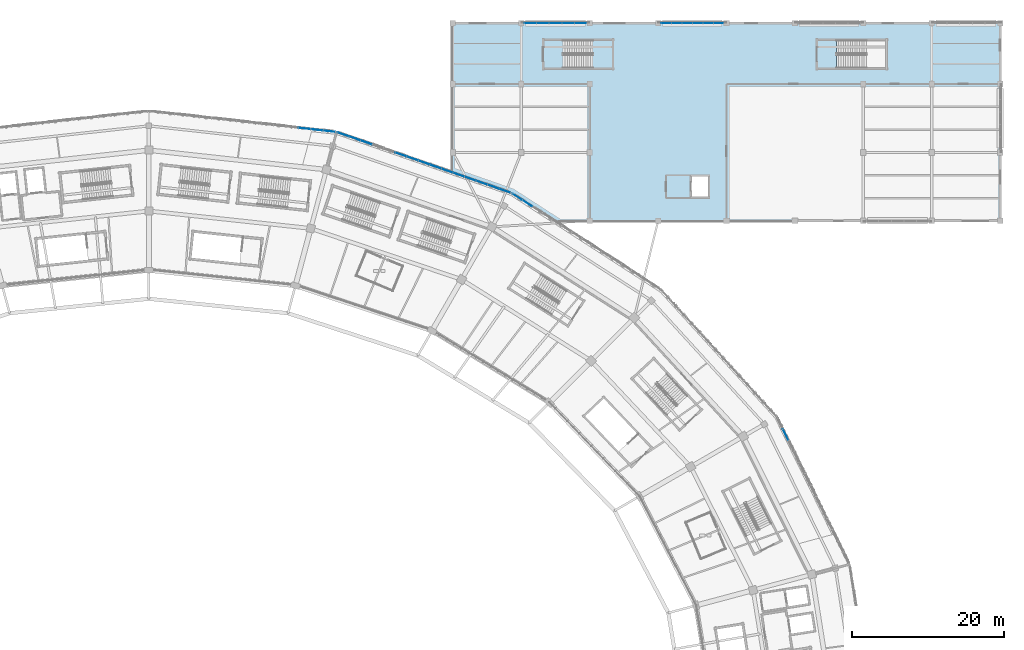
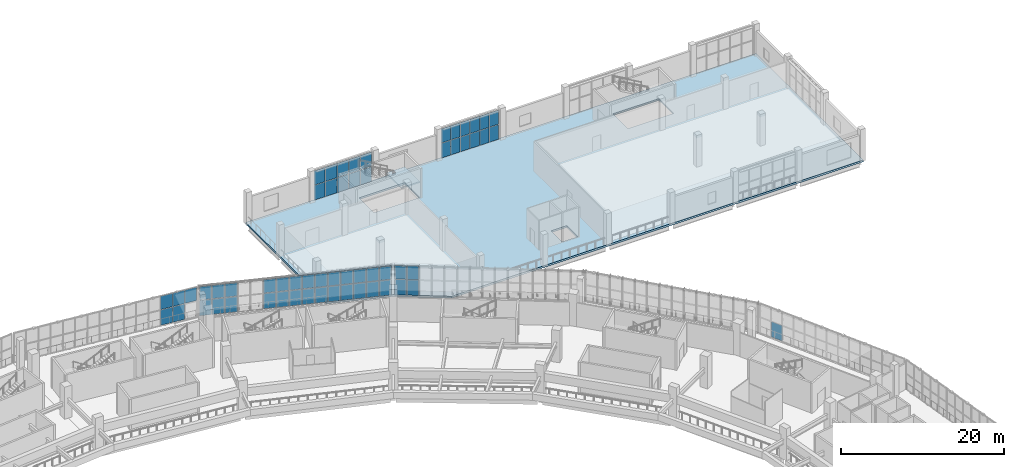
# One storey, part 95 of 179: 58 plates, 2 slabs, 7 elements without a shape of their own.
"""IFC4 building model written with IfcOpenShell, lengths in metres."""

from ifc_helpers import new_model, si_unit, direction, frame, origin, origin_2d, place, context, subcontext, project, spatial, polyline, rectangle, outline, extrude, material, layer, layer_set, type_object, element, aggregate, save


model = new_model("IFC4")

# Units and contexts
model_context = context("Model", 3, precision=1e-05, world=origin(), true_north=direction((0.0, 1.0)))
body_context = subcontext(model_context, "Body", "Model", "MODEL_VIEW")
ifc_project = project(units=[si_unit("LENGTHUNIT", "METRE"), si_unit("AREAUNIT", "SQUARE_METRE"), si_unit("VOLUMEUNIT", "CUBIC_METRE"), si_unit("PLANEANGLEUNIT", "RADIAN"), si_unit("MASSUNIT", "GRAM", prefix="KILO")], contexts=[model_context])

# Site, building, storey
site_placement = place(None, origin())
site = spatial("IfcSite", under=ifc_project, at=site_placement, CompositionType="ELEMENT")
building_placement = place(site_placement, origin())
building = spatial("IfcBuilding", under=site, at=building_placement, Name="Zevraka Park Crest Stadium", CompositionType="ELEMENT")
storey_placement = place(building_placement, frame((0.0, 0.0, 10.199951171875)))
storey = spatial("IfcBuildingStorey", under=building, at=storey_placement, Name="L02", CompositionType="ELEMENT", Elevation=10.199951171875)

# Curtain wall, plates
ifc_material_1 = material(Name="Anodised architectural aluminium and laminated safety glass", Category="aluminium")
curtain_wall_type_1 = type_object("IfcCurtainWallType", Name="CW06", PredefinedType="NOTDEFINED", material=ifc_material_1)
curtain_wall_1_placement = place(storey_placement, origin())
curtain_wall_1 = element("IfcCurtainWall", 1, at=curtain_wall_1_placement, inside=storey, type_object=curtain_wall_type_1, Name="Unitised Ring Curtain Wall CW06 L02-05", PredefinedType="NOTDEFINED")
ifc_material_2 = material(Name="Solar-control laminated double glazing", Category="glass")
ifc_layer_1 = layer(ifc_material_2, 0.028076171875)
ifc_layer_set_1 = layer_set([ifc_layer_1], Name="Solar-control laminated double glazing")
plate_type_1 = type_object("IfcPlateType", Name="CP06", PredefinedType="CURTAIN_PANEL", material=ifc_layer_set_1)
plate_1_placement = place(storey_placement, frame((135.737060546875, 169.785400390625, 2.43505859375), z_axis=(0.0, 0.0, 1.0), x_axis=(-0.993899099743, 0.110293152687, 0.0)))
plate_1 = element("IfcPlate", 2, at=plate_1_placement, type_object=plate_type_1, Name="CW06 panel 1.2", PredefinedType="CURTAIN_PANEL", context=body_context, shape_type="SweptSolid", body=[
    extrude(rectangle(XDim=1.5341796875, YDim=0.028076171875, at=origin_2d()), origin(), (0.0, 0.0, 1.0), 1.9951171875),
])
plate_2_placement = place(storey_placement, frame((134.125, 169.964111328125, 0.070068359375), z_axis=(0.0, 0.0, 1.0), x_axis=(-0.993899099743, 0.110293152687, 0.0)))
plate_2 = element("IfcPlate", 3, at=plate_2_placement, type_object=plate_type_1, Name="CW06 panel 2.1", PredefinedType="CURTAIN_PANEL", context=body_context, shape_type="SweptSolid", body=[
    extrude(rectangle(XDim=1.5693359375, YDim=0.028076171875, at=origin_2d()), origin(), (0.0, 0.0, 1.0), 2.294921875),
])
plate_3_placement = place(storey_placement, frame((134.125, 169.964111328125, 2.43505859375), z_axis=(0.0, 0.0, 1.0), x_axis=(-0.993899099743, 0.110293152687, 0.0)))
plate_3 = element("IfcPlate", 4, at=plate_3_placement, type_object=plate_type_1, Name="CW06 panel 2.2", PredefinedType="CURTAIN_PANEL", context=body_context, shape_type="SweptSolid", body=[
    extrude(rectangle(XDim=1.5693359375, YDim=0.028076171875, at=origin_2d()), origin(), (0.0, 0.0, 1.0), 1.9951171875),
])
plate_4_placement = place(storey_placement, frame((132.495849609375, 170.14501953125, 0.070068359375), z_axis=(0.0, 0.0, 1.0), x_axis=(-0.993899099743, 0.110293152687, 0.0)))
plate_4 = element("IfcPlate", 5, at=plate_4_placement, type_object=plate_type_1, Name="CW06 panel 3.1", PredefinedType="CURTAIN_PANEL", context=body_context, shape_type="SweptSolid", body=[
    extrude(rectangle(XDim=1.5693359375, YDim=0.028076171875, at=origin_2d()), origin(), (0.0, 0.0, 1.0), 2.294921875),
])
plate_5_placement = place(storey_placement, frame((132.495849609375, 170.14501953125, 2.43505859375), z_axis=(0.0, 0.0, 1.0), x_axis=(-0.993899099743, 0.110293152687, 0.0)))
plate_5 = element("IfcPlate", 6, at=plate_5_placement, type_object=plate_type_1, Name="CW06 panel 3.2", PredefinedType="CURTAIN_PANEL", context=body_context, shape_type="SweptSolid", body=[
    extrude(rectangle(XDim=1.5693359375, YDim=0.028076171875, at=origin_2d()), origin(), (0.0, 0.0, 1.0), 1.9951171875),
])
aggregate(curtain_wall_1, [plate_1, plate_2, plate_3, plate_4, plate_5])

# Curtain wall, plate
ifc_material_3 = material(Name="Anodised architectural aluminium and laminated safety glass", Category="aluminium")
curtain_wall_type_2 = type_object("IfcCurtainWallType", Name="CW07", PredefinedType="NOTDEFINED", material=ifc_material_3)
curtain_wall_2_placement = place(storey_placement, origin())
curtain_wall_2 = element("IfcCurtainWall", 7, at=curtain_wall_2_placement, inside=storey, type_object=curtain_wall_type_2, Name="Unitised Ring Curtain Wall CW07 L02-01", PredefinedType="NOTDEFINED")
ifc_material_4 = material(Name="Solar-control laminated double glazing", Category="glass")
ifc_layer_2 = layer(ifc_material_4, 0.028076171875)
ifc_layer_set_2 = layer_set([ifc_layer_2], Name="Solar-control laminated double glazing")
plate_type_2 = type_object("IfcPlateType", Name="CP07", PredefinedType="CURTAIN_PANEL", material=ifc_layer_set_2)
plate_6_placement = place(storey_placement, frame((195.781494140625, 129.877685546875, 0.06005859375), z_axis=(0.0, 0.0, 1.0), x_axis=(-0.441021032455, 0.897496768201, 0.0)))
plate_6 = element("IfcPlate", 8, at=plate_6_placement, type_object=plate_type_2, Name="CW07 panel 12.1", PredefinedType="CURTAIN_PANEL", context=body_context, shape_type="SweptSolid", body=[
    extrude(rectangle(XDim=1.58251953125, YDim=0.028076171875, at=origin_2d()), origin(), (0.0, 0.0, 1.0), 2.31005859375),
])
aggregate(curtain_wall_2, [plate_6])

# Curtain wall, plates
curtain_wall_3_placement = place(storey_placement, origin())
curtain_wall_3 = element("IfcCurtainWall", 9, at=curtain_wall_3_placement, inside=storey, type_object=curtain_wall_type_2, Name="Unitised Ring Curtain Wall CW07 L02-04", PredefinedType="NOTDEFINED")
plate_7_placement = place(storey_placement, frame((158.81787109375, 161.955810546875, 0.06005859375), z_axis=(0.0, 0.0, 1.0), x_axis=(-0.944114076789, 0.329618886002, 0.0)))
plate_7 = element("IfcPlate", 10, at=plate_7_placement, type_object=plate_type_2, Name="CW07 panel 1.1", PredefinedType="CURTAIN_PANEL", context=body_context, shape_type="SweptSolid", body=[
    extrude(rectangle(XDim=1.517822265625, YDim=0.028076171875, at=origin_2d()), origin(), (0.0, 0.0, 1.0), 2.31005859375),
])
plate_8_placement = place(storey_placement, frame((158.81787109375, 161.955810546875, 2.43017578125), z_axis=(0.0, 0.0, 1.0), x_axis=(-0.944114076789, 0.329618886002, 0.0)))
plate_8 = element("IfcPlate", 11, at=plate_8_placement, type_object=plate_type_2, Name="CW07 panel 1.2", PredefinedType="CURTAIN_PANEL", context=body_context, shape_type="SweptSolid", body=[
    extrude(rectangle(XDim=1.517822265625, YDim=0.028076171875, at=origin_2d()), origin(), (0.0, 0.0, 1.0), 2.010009765625),
])
plate_9_placement = place(storey_placement, frame((157.314208984375, 162.48095703125, 0.06005859375), z_axis=(0.0, 0.0, 1.0), x_axis=(-0.944114076789, 0.329618886002, 0.0)))
plate_9 = element("IfcPlate", 12, at=plate_9_placement, type_object=plate_type_2, Name="CW07 panel 2.1", PredefinedType="CURTAIN_PANEL", context=body_context, shape_type="SweptSolid", body=[
    extrude(rectangle(XDim=1.547607421875, YDim=0.028076171875, at=origin_2d()), origin(), (0.0, 0.0, 1.0), 2.31005859375),
])
plate_10_placement = place(storey_placement, frame((157.314208984375, 162.48095703125, 2.43017578125), z_axis=(0.0, 0.0, 1.0), x_axis=(-0.944114076789, 0.329618886002, 0.0)))
plate_10 = element("IfcPlate", 13, at=plate_10_placement, type_object=plate_type_2, Name="CW07 panel 2.2", PredefinedType="CURTAIN_PANEL", context=body_context, shape_type="SweptSolid", body=[
    extrude(rectangle(XDim=1.547607421875, YDim=0.028076171875, at=origin_2d()), origin(), (0.0, 0.0, 1.0), 2.010009765625),
])
plate_11_placement = place(storey_placement, frame((155.79638671875, 163.0107421875, 0.06005859375), z_axis=(0.0, 0.0, 1.0), x_axis=(-0.944114076789, 0.329618886002, 0.0)))
plate_11 = element("IfcPlate", 14, at=plate_11_placement, type_object=plate_type_2, Name="CW07 panel 3.1", PredefinedType="CURTAIN_PANEL", context=body_context, shape_type="SweptSolid", body=[
    extrude(rectangle(XDim=1.547607421875, YDim=0.028076171875, at=origin_2d()), origin(), (0.0, 0.0, 1.0), 2.31005859375),
])
plate_12_placement = place(storey_placement, frame((155.79638671875, 163.0107421875, 2.43017578125), z_axis=(0.0, 0.0, 1.0), x_axis=(-0.944114076789, 0.329618886002, 0.0)))
plate_12 = element("IfcPlate", 15, at=plate_12_placement, type_object=plate_type_2, Name="CW07 panel 3.2", PredefinedType="CURTAIN_PANEL", context=body_context, shape_type="SweptSolid", body=[
    extrude(rectangle(XDim=1.547607421875, YDim=0.028076171875, at=origin_2d()), origin(), (0.0, 0.0, 1.0), 2.010009765625),
])
plate_13_placement = place(storey_placement, frame((154.278564453125, 163.540771484375, 0.06005859375), z_axis=(0.0, 0.0, 1.0), x_axis=(-0.944114076789, 0.329618886002, 0.0)))
plate_13 = element("IfcPlate", 16, at=plate_13_placement, type_object=plate_type_2, Name="CW07 panel 4.1", PredefinedType="CURTAIN_PANEL", context=body_context, shape_type="SweptSolid", body=[
    extrude(rectangle(XDim=1.547607421875, YDim=0.028076171875, at=origin_2d()), origin(), (0.0, 0.0, 1.0), 2.31005859375),
])
plate_14_placement = place(storey_placement, frame((154.278564453125, 163.540771484375, 2.43017578125), z_axis=(0.0, 0.0, 1.0), x_axis=(-0.944114076789, 0.329618886002, 0.0)))
plate_14 = element("IfcPlate", 17, at=plate_14_placement, type_object=plate_type_2, Name="CW07 panel 4.2", PredefinedType="CURTAIN_PANEL", context=body_context, shape_type="SweptSolid", body=[
    extrude(rectangle(XDim=1.547607421875, YDim=0.028076171875, at=origin_2d()), origin(), (0.0, 0.0, 1.0), 2.010009765625),
])
plate_15_placement = place(storey_placement, frame((152.760498046875, 164.07080078125, 0.06005859375), z_axis=(0.0, 0.0, 1.0), x_axis=(-0.944114076789, 0.329618886002, 0.0)))
plate_15 = element("IfcPlate", 18, at=plate_15_placement, type_object=plate_type_2, Name="CW07 panel 5.1", PredefinedType="CURTAIN_PANEL", context=body_context, shape_type="SweptSolid", body=[
    extrude(rectangle(XDim=1.547607421875, YDim=0.028076171875, at=origin_2d()), origin(), (0.0, 0.0, 1.0), 2.31005859375),
])
plate_16_placement = place(storey_placement, frame((152.760498046875, 164.07080078125, 2.43017578125), z_axis=(0.0, 0.0, 1.0), x_axis=(-0.944114076789, 0.329618886002, 0.0)))
plate_16 = element("IfcPlate", 19, at=plate_16_placement, type_object=plate_type_2, Name="CW07 panel 5.2", PredefinedType="CURTAIN_PANEL", context=body_context, shape_type="SweptSolid", body=[
    extrude(rectangle(XDim=1.547607421875, YDim=0.028076171875, at=origin_2d()), origin(), (0.0, 0.0, 1.0), 2.010009765625),
])
plate_17_placement = place(storey_placement, frame((151.24267578125, 164.6005859375, 0.06005859375), z_axis=(0.0, 0.0, 1.0), x_axis=(-0.944114076789, 0.329618886002, 0.0)))
plate_17 = element("IfcPlate", 20, at=plate_17_placement, type_object=plate_type_2, Name="CW07 panel 6.1", PredefinedType="CURTAIN_PANEL", context=body_context, shape_type="SweptSolid", body=[
    extrude(rectangle(XDim=1.547607421875, YDim=0.028076171875, at=origin_2d()), origin(), (0.0, 0.0, 1.0), 2.31005859375),
])
plate_18_placement = place(storey_placement, frame((151.24267578125, 164.6005859375, 2.43017578125), z_axis=(0.0, 0.0, 1.0), x_axis=(-0.944114076789, 0.329618886002, 0.0)))
plate_18 = element("IfcPlate", 21, at=plate_18_placement, type_object=plate_type_2, Name="CW07 panel 6.2", PredefinedType="CURTAIN_PANEL", context=body_context, shape_type="SweptSolid", body=[
    extrude(rectangle(XDim=1.547607421875, YDim=0.028076171875, at=origin_2d()), origin(), (0.0, 0.0, 1.0), 2.010009765625),
])
plate_19_placement = place(storey_placement, frame((149.724853515625, 165.130615234375, 0.06005859375), z_axis=(0.0, 0.0, 1.0), x_axis=(-0.944114076789, 0.329618886002, 0.0)))
plate_19 = element("IfcPlate", 22, at=plate_19_placement, type_object=plate_type_2, Name="CW07 panel 7.1", PredefinedType="CURTAIN_PANEL", context=body_context, shape_type="SweptSolid", body=[
    extrude(rectangle(XDim=1.547607421875, YDim=0.028076171875, at=origin_2d()), origin(), (0.0, 0.0, 1.0), 2.31005859375),
])
plate_20_placement = place(storey_placement, frame((149.724853515625, 165.130615234375, 2.43017578125), z_axis=(0.0, 0.0, 1.0), x_axis=(-0.944114076789, 0.329618886002, 0.0)))
plate_20 = element("IfcPlate", 23, at=plate_20_placement, type_object=plate_type_2, Name="CW07 panel 7.2", PredefinedType="CURTAIN_PANEL", context=body_context, shape_type="SweptSolid", body=[
    extrude(rectangle(XDim=1.547607421875, YDim=0.028076171875, at=origin_2d()), origin(), (0.0, 0.0, 1.0), 2.010009765625),
])
plate_21_placement = place(storey_placement, frame((148.20703125, 165.660400390625, 0.06005859375), z_axis=(0.0, 0.0, 1.0), x_axis=(-0.944114076789, 0.329618886002, 0.0)))
plate_21 = element("IfcPlate", 24, at=plate_21_placement, type_object=plate_type_2, Name="CW07 panel 8.1", PredefinedType="CURTAIN_PANEL", context=body_context, shape_type="SweptSolid", body=[
    extrude(rectangle(XDim=1.547607421875, YDim=0.028076171875, at=origin_2d()), origin(), (0.0, 0.0, 1.0), 2.31005859375),
])
plate_22_placement = place(storey_placement, frame((148.20703125, 165.660400390625, 2.43017578125), z_axis=(0.0, 0.0, 1.0), x_axis=(-0.944114076789, 0.329618886002, 0.0)))
plate_22 = element("IfcPlate", 25, at=plate_22_placement, type_object=plate_type_2, Name="CW07 panel 8.2", PredefinedType="CURTAIN_PANEL", context=body_context, shape_type="SweptSolid", body=[
    extrude(rectangle(XDim=1.547607421875, YDim=0.028076171875, at=origin_2d()), origin(), (0.0, 0.0, 1.0), 2.010009765625),
])
plate_23_placement = place(storey_placement, frame((146.689208984375, 166.1904296875, 0.06005859375), z_axis=(0.0, 0.0, 1.0), x_axis=(-0.944114076789, 0.329618886002, 0.0)))
plate_23 = element("IfcPlate", 26, at=plate_23_placement, type_object=plate_type_2, Name="CW07 panel 9.1", PredefinedType="CURTAIN_PANEL", context=body_context, shape_type="SweptSolid", body=[
    extrude(rectangle(XDim=1.547607421875, YDim=0.028076171875, at=origin_2d()), origin(), (0.0, 0.0, 1.0), 2.31005859375),
])
plate_24_placement = place(storey_placement, frame((146.689208984375, 166.1904296875, 2.43017578125), z_axis=(0.0, 0.0, 1.0), x_axis=(-0.944114076789, 0.329618886002, 0.0)))
plate_24 = element("IfcPlate", 27, at=plate_24_placement, type_object=plate_type_2, Name="CW07 panel 9.2", PredefinedType="CURTAIN_PANEL", context=body_context, shape_type="SweptSolid", body=[
    extrude(rectangle(XDim=1.547607421875, YDim=0.028076171875, at=origin_2d()), origin(), (0.0, 0.0, 1.0), 2.010009765625),
])
plate_25_placement = place(storey_placement, frame((145.17138671875, 166.720458984375, 0.06005859375), z_axis=(0.0, 0.0, 1.0), x_axis=(-0.944114076789, 0.329618886002, 0.0)))
plate_25 = element("IfcPlate", 28, at=plate_25_placement, type_object=plate_type_2, Name="CW07 panel 10.1", PredefinedType="CURTAIN_PANEL", context=body_context, shape_type="SweptSolid", body=[
    extrude(rectangle(XDim=1.547607421875, YDim=0.028076171875, at=origin_2d()), origin(), (0.0, 0.0, 1.0), 2.31005859375),
])
plate_26_placement = place(storey_placement, frame((145.17138671875, 166.720458984375, 2.43017578125), z_axis=(0.0, 0.0, 1.0), x_axis=(-0.944114076789, 0.329618886002, 0.0)))
plate_26 = element("IfcPlate", 29, at=plate_26_placement, type_object=plate_type_2, Name="CW07 panel 10.2", PredefinedType="CURTAIN_PANEL", context=body_context, shape_type="SweptSolid", body=[
    extrude(rectangle(XDim=1.547607421875, YDim=0.028076171875, at=origin_2d()), origin(), (0.0, 0.0, 1.0), 2.010009765625),
])
plate_27_placement = place(storey_placement, frame((140.61767578125, 168.31005859375, 0.06005859375), z_axis=(0.0, 0.0, 1.0), x_axis=(-0.944114076789, 0.329618886002, 0.0)))
plate_27 = element("IfcPlate", 30, at=plate_27_placement, type_object=plate_type_2, Name="CW07 panel 13.1", PredefinedType="CURTAIN_PANEL", context=body_context, shape_type="SweptSolid", body=[
    extrude(rectangle(XDim=1.547607421875, YDim=0.028076171875, at=origin_2d()), origin(), (0.0, 0.0, 1.0), 2.31005859375),
])
plate_28_placement = place(storey_placement, frame((140.61767578125, 168.31005859375, 2.43017578125), z_axis=(0.0, 0.0, 1.0), x_axis=(-0.944114076789, 0.329618886002, 0.0)))
plate_28 = element("IfcPlate", 31, at=plate_28_placement, type_object=plate_type_2, Name="CW07 panel 13.2", PredefinedType="CURTAIN_PANEL", context=body_context, shape_type="SweptSolid", body=[
    extrude(rectangle(XDim=1.547607421875, YDim=0.028076171875, at=origin_2d()), origin(), (0.0, 0.0, 1.0), 2.010009765625),
])
plate_29_placement = place(storey_placement, frame((139.099853515625, 168.840087890625, 0.06005859375), z_axis=(0.0, 0.0, 1.0), x_axis=(-0.944114076789, 0.329618886002, 0.0)))
plate_29 = element("IfcPlate", 32, at=plate_29_placement, type_object=plate_type_2, Name="CW07 panel 14.1", PredefinedType="CURTAIN_PANEL", context=body_context, shape_type="SweptSolid", body=[
    extrude(rectangle(XDim=1.547607421875, YDim=0.028076171875, at=origin_2d()), origin(), (0.0, 0.0, 1.0), 2.31005859375),
])
plate_30_placement = place(storey_placement, frame((139.099853515625, 168.840087890625, 2.43017578125), z_axis=(0.0, 0.0, 1.0), x_axis=(-0.944114076789, 0.329618886002, 0.0)))
plate_30 = element("IfcPlate", 33, at=plate_30_placement, type_object=plate_type_2, Name="CW07 panel 14.2", PredefinedType="CURTAIN_PANEL", context=body_context, shape_type="SweptSolid", body=[
    extrude(rectangle(XDim=1.547607421875, YDim=0.028076171875, at=origin_2d()), origin(), (0.0, 0.0, 1.0), 2.010009765625),
])
plate_31_placement = place(storey_placement, frame((137.59619140625, 169.364990234375, 0.06005859375), z_axis=(0.0, 0.0, 1.0), x_axis=(-0.944114076789, 0.329618886002, 0.0)))
plate_31 = element("IfcPlate", 34, at=plate_31_placement, type_object=plate_type_2, Name="CW07 panel 15.1", PredefinedType="CURTAIN_PANEL", context=body_context, shape_type="SweptSolid", body=[
    extrude(rectangle(XDim=1.517822265625, YDim=0.028076171875, at=origin_2d()), origin(), (0.0, 0.0, 1.0), 2.31005859375),
])
plate_32_placement = place(storey_placement, frame((137.59619140625, 169.364990234375, 2.43017578125), z_axis=(0.0, 0.0, 1.0), x_axis=(-0.944114076789, 0.329618886002, 0.0)))
plate_32 = element("IfcPlate", 35, at=plate_32_placement, type_object=plate_type_2, Name="CW07 panel 15.2", PredefinedType="CURTAIN_PANEL", context=body_context, shape_type="SweptSolid", body=[
    extrude(rectangle(XDim=1.517822265625, YDim=0.028076171875, at=origin_2d()), origin(), (0.0, 0.0, 1.0), 2.010009765625),
])
aggregate(curtain_wall_3, [plate_7, plate_8, plate_9, plate_10, plate_11, plate_12, plate_13, plate_14, plate_15, plate_16, plate_17, plate_18, plate_19, plate_20, plate_21, plate_22, plate_23, plate_24, plate_25, plate_26, plate_27, plate_28, plate_29, plate_30, plate_31, plate_32])

ifc_material_5 = material(Name="Anodised architectural aluminium and laminated safety glass", Category="aluminium")
curtain_wall_type_3 = type_object("IfcCurtainWallType", Name="CW08", PredefinedType="NOTDEFINED", material=ifc_material_5)
curtain_wall_4_placement = place(storey_placement, origin())
curtain_wall_4 = element("IfcCurtainWall", 36, at=curtain_wall_4_placement, inside=storey, type_object=curtain_wall_type_3, Name="Unitised Ring Curtain Wall CW08 L02-03", PredefinedType="NOTDEFINED")
ifc_material_6 = material(Name="Solar-control laminated double glazing", Category="glass")
ifc_layer_3 = layer(ifc_material_6, 0.028076171875)
ifc_layer_set_3 = layer_set([ifc_layer_3], Name="Solar-control laminated double glazing")
plate_type_3 = type_object("IfcPlateType", Name="CP08", PredefinedType="CURTAIN_PANEL", material=ifc_layer_set_3)
plate_33_placement = place(storey_placement, frame((161.7783203125, 160.307861328125, 0.06494140625), z_axis=(0.0, 0.0, 1.0), x_axis=(-0.839670424967, 0.543096287444, 0.0)))
plate_33 = element("IfcPlate", 37, at=plate_33_placement, type_object=plate_type_3, Name="CW08 panel 14.1", PredefinedType="CURTAIN_PANEL", context=body_context, shape_type="SweptSolid", body=[
    extrude(rectangle(XDim=1.48681640625, YDim=0.028076171875, at=origin_2d()), origin(), (0.0, 0.0, 1.0), 2.302490234375),
])
plate_34_placement = place(storey_placement, frame((161.7783203125, 160.307861328125, 2.4326171875), z_axis=(0.0, 0.0, 1.0), x_axis=(-0.839670424967, 0.543096287444, 0.0)))
plate_34 = element("IfcPlate", 38, at=plate_34_placement, type_object=plate_type_3, Name="CW08 panel 14.2", PredefinedType="CURTAIN_PANEL", context=body_context, shape_type="SweptSolid", body=[
    extrude(rectangle(XDim=1.48681640625, YDim=0.028076171875, at=origin_2d()), origin(), (0.0, 0.0, 1.0), 2.00244140625),
])
plate_35_placement = place(storey_placement, frame((160.489013671875, 161.141845703125, 0.06494140625), z_axis=(0.0, 0.0, 1.0), x_axis=(-0.839670424967, 0.543096287444, 0.0)))
plate_35 = element("IfcPlate", 39, at=plate_35_placement, type_object=plate_type_3, Name="CW08 panel 15.1", PredefinedType="CURTAIN_PANEL", context=body_context, shape_type="SweptSolid", body=[
    extrude(rectangle(XDim=1.4541015625, YDim=0.028076171875, at=origin_2d()), origin(), (0.0, 0.0, 1.0), 2.302490234375),
])
plate_36_placement = place(storey_placement, frame((160.489013671875, 161.141845703125, 2.4326171875), z_axis=(0.0, 0.0, 1.0), x_axis=(-0.839670424967, 0.543096287444, 0.0)))
plate_36 = element("IfcPlate", 40, at=plate_36_placement, type_object=plate_type_3, Name="CW08 panel 15.2", PredefinedType="CURTAIN_PANEL", context=body_context, shape_type="SweptSolid", body=[
    extrude(rectangle(XDim=1.4541015625, YDim=0.028076171875, at=origin_2d()), origin(), (0.0, 0.0, 1.0), 2.00244140625),
])
aggregate(curtain_wall_4, [plate_33, plate_34, plate_35, plate_36])

ifc_material_7 = material(Name="Anodised architectural aluminium and laminated safety glass", Category="aluminium")
curtain_wall_type_4 = type_object("IfcCurtainWallType", Name="CW26", PredefinedType="NOTDEFINED", material=ifc_material_7)
curtain_wall_5_placement = place(storey_placement, origin())
curtain_wall_5 = element("IfcCurtainWall", 41, at=curtain_wall_5_placement, inside=storey, type_object=curtain_wall_type_4, Name="Wing Curtain Wall CW26 L02-NGATE-N-4", PredefinedType="NOTDEFINED")
ifc_material_8 = material(Name="Solar-control laminated double glazing", Category="glass")
ifc_layer_4 = layer(ifc_material_8, 0.035888671875)
ifc_layer_set_4 = layer_set([ifc_layer_4], Name="Solar-control laminated double glazing")
plate_type_4 = type_object("IfcPlateType", Name="CP26", PredefinedType="CURTAIN_PANEL", material=ifc_layer_set_4)
plate_37_placement = place(storey_placement, frame((180.0703125, 184.0, 0.06494140625), z_axis=(0.0, 0.0, 1.0), x_axis=(1.0, 0.0, 0.0)))
plate_37 = element("IfcPlate", 42, at=plate_37_placement, type_object=plate_type_4, Name="CW26 panel 1.1", PredefinedType="CURTAIN_PANEL", context=body_context, shape_type="SweptSolid", body=[
    extrude(rectangle(XDim=1.28076171875, YDim=0.035888671875, at=origin_2d()), origin(), (0.0, 0.0, 1.0), 2.202392578125),
])
plate_38_placement = place(storey_placement, frame((180.0703125, 184.0, 2.33251953125), z_axis=(0.0, 0.0, 1.0), x_axis=(1.0, 0.0, 0.0)))
plate_38 = element("IfcPlate", 43, at=plate_38_placement, type_object=plate_type_4, Name="CW26 panel 1.2", PredefinedType="CURTAIN_PANEL", context=body_context, shape_type="SweptSolid", body=[
    extrude(rectangle(XDim=1.28076171875, YDim=0.035888671875, at=origin_2d()), origin(), (0.0, 0.0, 1.0), 2.1025390625),
])
plate_39_placement = place(storey_placement, frame((181.4326171875, 184.0, 0.06494140625), z_axis=(0.0, 0.0, 1.0), x_axis=(1.0, 0.0, 0.0)))
plate_39 = element("IfcPlate", 44, at=plate_39_placement, type_object=plate_type_4, Name="CW26 panel 2.1", PredefinedType="CURTAIN_PANEL", context=body_context, shape_type="SweptSolid", body=[
    extrude(rectangle(XDim=1.313232421875, YDim=0.035888671875, at=origin_2d()), origin(), (0.0, 0.0, 1.0), 2.202392578125),
])
plate_40_placement = place(storey_placement, frame((181.4326171875, 184.0, 2.33251953125), z_axis=(0.0, 0.0, 1.0), x_axis=(1.0, 0.0, 0.0)))
plate_40 = element("IfcPlate", 45, at=plate_40_placement, type_object=plate_type_4, Name="CW26 panel 2.2", PredefinedType="CURTAIN_PANEL", context=body_context, shape_type="SweptSolid", body=[
    extrude(rectangle(XDim=1.313232421875, YDim=0.035888671875, at=origin_2d()), origin(), (0.0, 0.0, 1.0), 2.1025390625),
])
plate_41_placement = place(storey_placement, frame((182.810791015625, 184.0, 0.06494140625), z_axis=(0.0, 0.0, 1.0), x_axis=(1.0, 0.0, 0.0)))
plate_41 = element("IfcPlate", 46, at=plate_41_placement, type_object=plate_type_4, Name="CW26 panel 3.1", PredefinedType="CURTAIN_PANEL", context=body_context, shape_type="SweptSolid", body=[
    extrude(rectangle(XDim=1.313232421875, YDim=0.035888671875, at=origin_2d()), origin(), (0.0, 0.0, 1.0), 2.202392578125),
])
plate_42_placement = place(storey_placement, frame((182.810791015625, 184.0, 2.33251953125), z_axis=(0.0, 0.0, 1.0), x_axis=(1.0, 0.0, 0.0)))
plate_42 = element("IfcPlate", 47, at=plate_42_placement, type_object=plate_type_4, Name="CW26 panel 3.2", PredefinedType="CURTAIN_PANEL", context=body_context, shape_type="SweptSolid", body=[
    extrude(rectangle(XDim=1.313232421875, YDim=0.035888671875, at=origin_2d()), origin(), (0.0, 0.0, 1.0), 2.1025390625),
])
plate_43_placement = place(storey_placement, frame((184.189208984375, 184.0, 0.06494140625), z_axis=(0.0, 0.0, 1.0), x_axis=(1.0, 0.0, 0.0)))
plate_43 = element("IfcPlate", 48, at=plate_43_placement, type_object=plate_type_4, Name="CW26 panel 4.1", PredefinedType="CURTAIN_PANEL", context=body_context, shape_type="SweptSolid", body=[
    extrude(rectangle(XDim=1.313232421875, YDim=0.035888671875, at=origin_2d()), origin(), (0.0, 0.0, 1.0), 2.202392578125),
])
plate_44_placement = place(storey_placement, frame((184.189208984375, 184.0, 2.33251953125), z_axis=(0.0, 0.0, 1.0), x_axis=(1.0, 0.0, 0.0)))
plate_44 = element("IfcPlate", 49, at=plate_44_placement, type_object=plate_type_4, Name="CW26 panel 4.2", PredefinedType="CURTAIN_PANEL", context=body_context, shape_type="SweptSolid", body=[
    extrude(rectangle(XDim=1.313232421875, YDim=0.035888671875, at=origin_2d()), origin(), (0.0, 0.0, 1.0), 2.1025390625),
])
plate_45_placement = place(storey_placement, frame((185.5673828125, 184.0, 0.06494140625), z_axis=(0.0, 0.0, 1.0), x_axis=(1.0, 0.0, 0.0)))
plate_45 = element("IfcPlate", 50, at=plate_45_placement, type_object=plate_type_4, Name="CW26 panel 5.1", PredefinedType="CURTAIN_PANEL", context=body_context, shape_type="SweptSolid", body=[
    extrude(rectangle(XDim=1.313232421875, YDim=0.035888671875, at=origin_2d()), origin(), (0.0, 0.0, 1.0), 2.202392578125),
])
plate_46_placement = place(storey_placement, frame((185.5673828125, 184.0, 2.33251953125), z_axis=(0.0, 0.0, 1.0), x_axis=(1.0, 0.0, 0.0)))
plate_46 = element("IfcPlate", 51, at=plate_46_placement, type_object=plate_type_4, Name="CW26 panel 5.2", PredefinedType="CURTAIN_PANEL", context=body_context, shape_type="SweptSolid", body=[
    extrude(rectangle(XDim=1.313232421875, YDim=0.035888671875, at=origin_2d()), origin(), (0.0, 0.0, 1.0), 2.1025390625),
])
plate_47_placement = place(storey_placement, frame((186.9296875, 184.0, 0.06494140625), z_axis=(0.0, 0.0, 1.0), x_axis=(1.0, 0.0, 0.0)))
plate_47 = element("IfcPlate", 52, at=plate_47_placement, type_object=plate_type_4, Name="CW26 panel 6.1", PredefinedType="CURTAIN_PANEL", context=body_context, shape_type="SweptSolid", body=[
    extrude(rectangle(XDim=1.28076171875, YDim=0.035888671875, at=origin_2d()), origin(), (0.0, 0.0, 1.0), 2.202392578125),
])
plate_48_placement = place(storey_placement, frame((186.9296875, 184.0, 2.33251953125), z_axis=(0.0, 0.0, 1.0), x_axis=(1.0, 0.0, 0.0)))
plate_48 = element("IfcPlate", 53, at=plate_48_placement, type_object=plate_type_4, Name="CW26 panel 6.2", PredefinedType="CURTAIN_PANEL", context=body_context, shape_type="SweptSolid", body=[
    extrude(rectangle(XDim=1.28076171875, YDim=0.035888671875, at=origin_2d()), origin(), (0.0, 0.0, 1.0), 2.1025390625),
])
aggregate(curtain_wall_5, [plate_37, plate_38, plate_39, plate_40, plate_41, plate_42, plate_43, plate_44, plate_45, plate_46, plate_47, plate_48])

ifc_material_9 = material(Name="Anodised architectural aluminium and laminated safety glass", Category="aluminium")
curtain_wall_type_5 = type_object("IfcCurtainWallType", Name="CW29", PredefinedType="NOTDEFINED", material=ifc_material_9)
curtain_wall_6_placement = place(storey_placement, origin())
curtain_wall_6 = element("IfcCurtainWall", 54, at=curtain_wall_6_placement, inside=storey, type_object=curtain_wall_type_5, Name="Wing Curtain Wall CW29 L02-NGATE-N-2", PredefinedType="NOTDEFINED")
ifc_material_10 = material(Name="Solar-control laminated double glazing", Category="glass")
ifc_layer_5 = layer(ifc_material_10, 0.035888671875)
ifc_layer_set_5 = layer_set([ifc_layer_5], Name="Solar-control laminated double glazing")
plate_type_5 = type_object("IfcPlateType", Name="CP29", PredefinedType="CURTAIN_PANEL", material=ifc_layer_set_5)
plate_49_placement = place(storey_placement, frame((162.208251953125, 184.0, 0.06494140625), z_axis=(0.0, 0.0, 1.0), x_axis=(1.0, 0.0, 0.0)))
plate_49 = element("IfcPlate", 55, at=plate_49_placement, type_object=plate_type_5, Name="CW29 panel 1.1", PredefinedType="CURTAIN_PANEL", context=body_context, shape_type="SweptSolid", body=[
    extrude(rectangle(XDim=1.556396484375, YDim=0.035888671875, at=origin_2d()), origin(), (0.0, 0.0, 1.0), 2.202392578125),
])
plate_50_placement = place(storey_placement, frame((162.208251953125, 184.0, 2.33251953125), z_axis=(0.0, 0.0, 1.0), x_axis=(1.0, 0.0, 0.0)))
plate_50 = element("IfcPlate", 56, at=plate_50_placement, type_object=plate_type_5, Name="CW29 panel 1.2", PredefinedType="CURTAIN_PANEL", context=body_context, shape_type="SweptSolid", body=[
    extrude(rectangle(XDim=1.556396484375, YDim=0.035888671875, at=origin_2d()), origin(), (0.0, 0.0, 1.0), 2.1025390625),
])
plate_51_placement = place(storey_placement, frame((163.845947265625, 184.0, 0.06494140625), z_axis=(0.0, 0.0, 1.0), x_axis=(1.0, 0.0, 0.0)))
plate_51 = element("IfcPlate", 57, at=plate_51_placement, type_object=plate_type_5, Name="CW29 panel 2.1", PredefinedType="CURTAIN_PANEL", context=body_context, shape_type="SweptSolid", body=[
    extrude(rectangle(XDim=1.589111328125, YDim=0.035888671875, at=origin_2d()), origin(), (0.0, 0.0, 1.0), 2.202392578125),
])
plate_52_placement = place(storey_placement, frame((163.845947265625, 184.0, 2.33251953125), z_axis=(0.0, 0.0, 1.0), x_axis=(1.0, 0.0, 0.0)))
plate_52 = element("IfcPlate", 58, at=plate_52_placement, type_object=plate_type_5, Name="CW29 panel 2.2", PredefinedType="CURTAIN_PANEL", context=body_context, shape_type="SweptSolid", body=[
    extrude(rectangle(XDim=1.589111328125, YDim=0.035888671875, at=origin_2d()), origin(), (0.0, 0.0, 1.0), 2.1025390625),
])
plate_53_placement = place(storey_placement, frame((165.5, 184.0, 0.06494140625), z_axis=(0.0, 0.0, 1.0), x_axis=(1.0, 0.0, 0.0)))
plate_53 = element("IfcPlate", 59, at=plate_53_placement, type_object=plate_type_5, Name="CW29 panel 3.1", PredefinedType="CURTAIN_PANEL", context=body_context, shape_type="SweptSolid", body=[
    extrude(rectangle(XDim=1.589111328125, YDim=0.035888671875, at=origin_2d()), origin(), (0.0, 0.0, 1.0), 2.202392578125),
])
plate_54_placement = place(storey_placement, frame((165.5, 184.0, 2.33251953125), z_axis=(0.0, 0.0, 1.0), x_axis=(1.0, 0.0, 0.0)))
plate_54 = element("IfcPlate", 60, at=plate_54_placement, type_object=plate_type_5, Name="CW29 panel 3.2", PredefinedType="CURTAIN_PANEL", context=body_context, shape_type="SweptSolid", body=[
    extrude(rectangle(XDim=1.589111328125, YDim=0.035888671875, at=origin_2d()), origin(), (0.0, 0.0, 1.0), 2.1025390625),
])
plate_55_placement = place(storey_placement, frame((167.154052734375, 184.0, 0.06494140625), z_axis=(0.0, 0.0, 1.0), x_axis=(1.0, 0.0, 0.0)))
plate_55 = element("IfcPlate", 61, at=plate_55_placement, type_object=plate_type_5, Name="CW29 panel 4.1", PredefinedType="CURTAIN_PANEL", context=body_context, shape_type="SweptSolid", body=[
    extrude(rectangle(XDim=1.589111328125, YDim=0.035888671875, at=origin_2d()), origin(), (0.0, 0.0, 1.0), 2.202392578125),
])
plate_56_placement = place(storey_placement, frame((167.154052734375, 184.0, 2.33251953125), z_axis=(0.0, 0.0, 1.0), x_axis=(1.0, 0.0, 0.0)))
plate_56 = element("IfcPlate", 62, at=plate_56_placement, type_object=plate_type_5, Name="CW29 panel 4.2", PredefinedType="CURTAIN_PANEL", context=body_context, shape_type="SweptSolid", body=[
    extrude(rectangle(XDim=1.589111328125, YDim=0.035888671875, at=origin_2d()), origin(), (0.0, 0.0, 1.0), 2.1025390625),
])
plate_57_placement = place(storey_placement, frame((168.791748046875, 184.0, 0.06494140625), z_axis=(0.0, 0.0, 1.0), x_axis=(1.0, 0.0, 0.0)))
plate_57 = element("IfcPlate", 63, at=plate_57_placement, type_object=plate_type_5, Name="CW29 panel 5.1", PredefinedType="CURTAIN_PANEL", context=body_context, shape_type="SweptSolid", body=[
    extrude(rectangle(XDim=1.556396484375, YDim=0.035888671875, at=origin_2d()), origin(), (0.0, 0.0, 1.0), 2.202392578125),
])
plate_58_placement = place(storey_placement, frame((168.791748046875, 184.0, 2.33251953125), z_axis=(0.0, 0.0, 1.0), x_axis=(1.0, 0.0, 0.0)))
plate_58 = element("IfcPlate", 64, at=plate_58_placement, type_object=plate_type_5, Name="CW29 panel 5.2", PredefinedType="CURTAIN_PANEL", context=body_context, shape_type="SweptSolid", body=[
    extrude(rectangle(XDim=1.556396484375, YDim=0.035888671875, at=origin_2d()), origin(), (0.0, 0.0, 1.0), 2.1025390625),
])
aggregate(curtain_wall_6, [plate_49, plate_50, plate_51, plate_52, plate_53, plate_54, plate_55, plate_56, plate_57, plate_58])

# Slab
ifc_material_11 = material(Name="Concrete C35/45", Category="concrete")
ifc_layer_6 = layer(ifc_material_11, 0.280029296875)
ifc_layer_set_6 = layer_set([ifc_layer_6], Name="Concrete C35/45")
slab_type_1 = type_object("IfcSlabType", Name="FS02", PredefinedType="FLOOR", material=ifc_layer_set_6)
slab_1_placement = place(storey_placement, frame((0.0, 0.0, -0.280029296875)))
element("IfcSlab", 65, at=slab_1_placement, inside=storey, type_object=slab_type_1, Name="North Park Pointed-Arch Entrance Gate and Ticketing Pavilion Floor Slab L02-1", PredefinedType="FLOOR", context=body_context, shape_type="SweptSolid", body=[
    extrude(outline(polyline([(224.175048828125, 184.175048828125), (224.175048828125, 157.824951171875), (165.77294921875, 157.824951171875), (159.751953125, 161.718994140625), (151.824951171875, 164.487060546875), (151.824951171875, 184.175048828125), (224.175048828125, 184.175048828125)]), holes=[polyline([(183.39990234375, 161.14990234375), (185.60009765625, 161.14990234375), (185.60009765625, 163.85009765625), (183.39990234375, 163.85009765625), (183.39990234375, 161.14990234375)]), polyline([(166.47998046875, 181.75), (166.47998046875, 178.090087890625), (173.0, 178.090087890625), (173.0, 181.75), (166.47998046875, 181.75)]), polyline([(202.47998046875, 181.75), (202.47998046875, 178.090087890625), (209.0, 178.090087890625), (209.0, 181.75), (202.47998046875, 181.75)])]), origin(), (0.0, 0.0, 1.0), 0.280029296875),
])

# Stair, slab
ifc_material_12 = material(Name="Concrete C35/45", Category="concrete")
stair_type = type_object("IfcStairType", Name="STC2", PredefinedType="HALF_TURN_STAIR", material=ifc_material_12)
stair_placement = place(storey_placement, origin())
stair = element("IfcStair", 66, at=stair_placement, inside=storey, type_object=stair_type, Name="L02 North Gate Pavilion West Stair ST46", PredefinedType="HALF_TURN_STAIR")
ifc_material_13 = material(Name="Concrete C35/45", Category="concrete")
ifc_layer_7 = layer(ifc_material_13, 0.199951171875)
ifc_layer_set_7 = layer_set([ifc_layer_7], Name="Concrete C35/45")
slab_type_2 = type_object("IfcSlabType", Name="LS01", PredefinedType="LANDING", material=ifc_layer_set_7)
slab_2_placement = place(storey_placement, frame((0.0, 0.0, 2.199951171875)))
slab_2 = element("IfcSlab", 67, at=slab_2_placement, type_object=slab_type_2, Name="ST46 landing 1", PredefinedType="LANDING", context=body_context, shape_type="SweptSolid", body=[
    extrude(outline(polyline([(170.389892578125, 178.090087890625), (173.0, 178.090087890625), (173.0, 181.75), (170.389892578125, 181.75), (170.389892578125, 178.090087890625)])), origin(), (0.0, 0.0, 1.0), 0.2001953125),
])
aggregate(stair, [slab_2])

save(model, "model.ifc")
